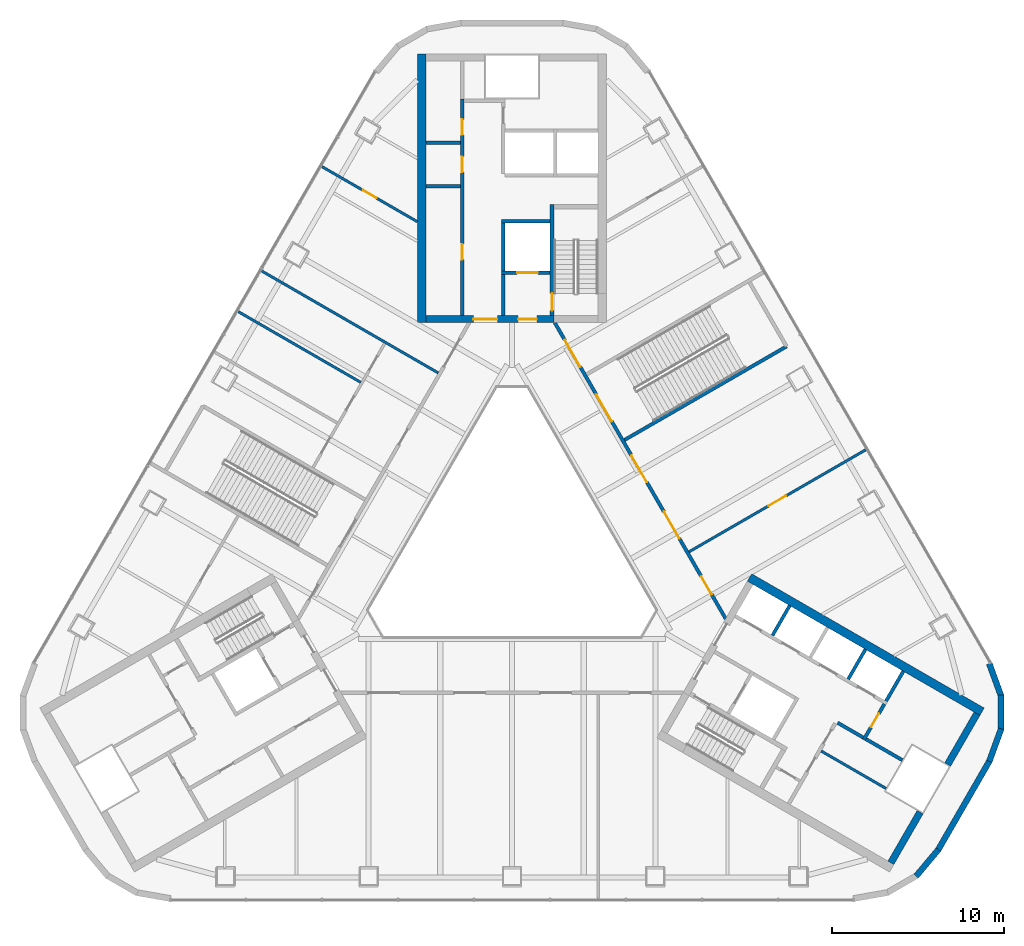
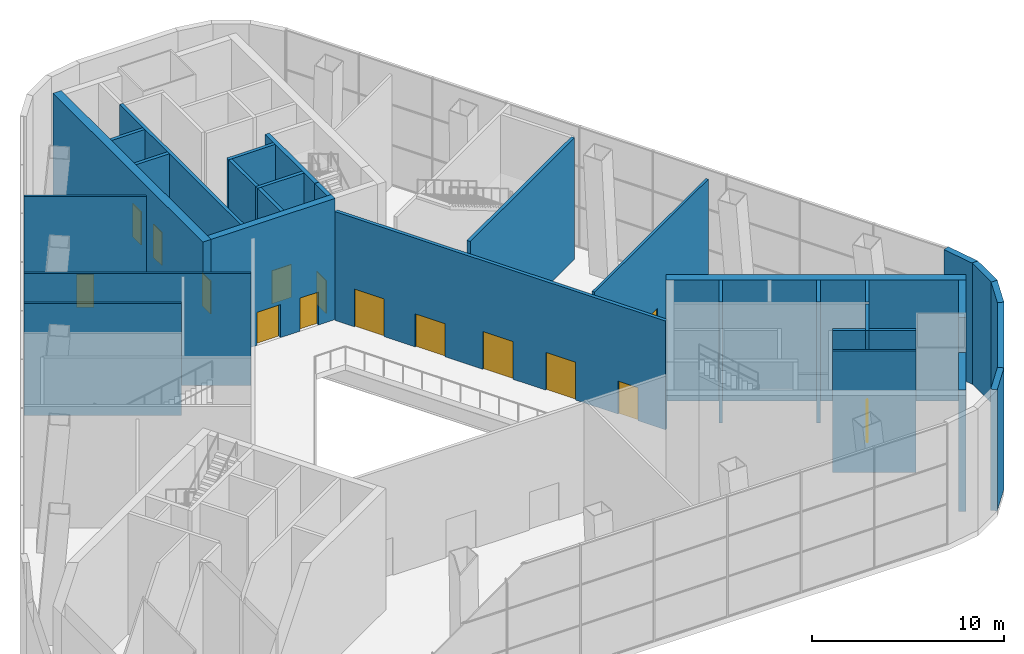
# One storey, part 11 of 16: 32 walls, 15 doors, 15 openings.
"""IFC4 building model written with IfcOpenShell, lengths in metres."""

import ifcopenshell
import ifcopenshell.guid

model = None  # the IFC model being written
_history = None  # IfcOwnerHistory: only IFC2X3 demands one
_inside = {}  # id of a spatial element -> (the spatial element, [elements in it])
_under = {}  # id of a project, library or spatial element -> (it, [spatial elements below it])
_declared = {}  # id of a project -> (the project, [libraries it declares])
_typed = {}  # id of a type object -> (the type object, [elements of that type])
_made_of = {}  # id of a material, layer set ... -> (it, [elements and type objects made of it])


def new_model(schema):
    """Start an empty IFC model of exactly this schema.

    Asked for "IFC4X3", IfcOpenShell would pick the latest addendum, in which some entities
    have other attributes; the version numbers below select the first issue.
    IFC2X3 requires an IfcOwnerHistory on every rooted entity: one is made here for all.
    """
    global model, _history
    if schema == "IFC4X3":
        model = ifcopenshell.file(schema_version=(4, 3, 0, 0))
    else:
        model = ifcopenshell.file(schema=schema)
    _inside.clear()
    _under.clear()
    _declared.clear()
    _typed.clear()
    _made_of.clear()
    _history = None
    if model.schema == "IFC2X3":
        org = make("IfcOrganization", Name="unknown")
        user = make(
            "IfcPersonAndOrganization",
            ThePerson=make("IfcPerson", FamilyName="unknown"),
            TheOrganization=org,
        )
        app = make(
            "IfcApplication",
            ApplicationDeveloper=org,
            Version="unknown",
            ApplicationFullName="unknown",
            ApplicationIdentifier="unknown",
        )
        _history = make(
            "IfcOwnerHistory",
            OwningUser=user,
            OwningApplication=app,
            ChangeAction="ADDED",
            CreationDate=0,
        )
    return model


def make(cls, **values):
    """One entity of the class cls with the attributes given. An attribute that is None is left unset."""
    return model.create_entity(
        cls, **{name: value for name, value in values.items() if value is not None}
    )


def rooted(cls, **values):
    """An entity with a GlobalId (a new one), such as an element, a storey or a relation."""
    return make(cls, GlobalId=ifcopenshell.guid.new(), OwnerHistory=_history, **values)


def si_unit(unit_type, name, prefix=None):
    """IfcSIUnit, for example si_unit("LENGTHUNIT", "METRE", prefix="MILLI")."""
    return make("IfcSIUnit", UnitType=unit_type, Prefix=prefix, Name=name)


def assignment(units):
    """IfcUnitAssignment: the units of a project."""
    return None if units is None else make("IfcUnitAssignment", Units=units)


def point(xyz):
    """IfcCartesianPoint."""
    return None if xyz is None else make("IfcCartesianPoint", Coordinates=xyz)


def direction(xyz):
    """IfcDirection."""
    return None if xyz is None else make("IfcDirection", DirectionRatios=xyz)


def frame(location, z_axis=None, x_axis=None):
    """IfcAxis2Placement3D, a coordinate frame: its origin and axes. An axis left out is left unset."""
    return make(
        "IfcAxis2Placement3D",
        Location=point(location),
        Axis=direction(z_axis),
        RefDirection=direction(x_axis),
    )


def frame_2d(location, x_axis=None):
    """IfcAxis2Placement2D, a coordinate frame in the plane: its origin and x axis."""
    return make(
        "IfcAxis2Placement2D", Location=point(location), RefDirection=direction(x_axis)
    )


def origin():
    """The frame at (0, 0, 0) with its axes left unset."""
    return frame((0.0, 0.0, 0.0))


def place(relative_to, where):
    """IfcLocalPlacement: puts the frame where relative to a parent placement (None: the world)."""
    return make(
        "IfcLocalPlacement", PlacementRelTo=relative_to, RelativePlacement=where
    )


def context(
    kind, dimensions, precision=None, world=None, true_north=None, identifier=None
):
    """IfcGeometricRepresentationContext, for example the 3D "Model" context."""
    return make(
        "IfcGeometricRepresentationContext",
        ContextIdentifier=identifier,
        ContextType=kind,
        CoordinateSpaceDimension=dimensions,
        Precision=precision,
        WorldCoordinateSystem=world,
        TrueNorth=true_north,
    )


def subcontext(parent, identifier, kind, view, scale=None):
    """IfcGeometricRepresentationSubContext, for example "Body" below "Model"."""
    return make(
        "IfcGeometricRepresentationSubContext",
        ContextIdentifier=identifier,
        ContextType=kind,
        ParentContext=parent,
        TargetScale=scale,
        TargetView=view,
    )


def project(units=None, contexts=None):
    """IfcProject with its units and contexts."""
    return rooted(
        "IfcProject",
        Name="project",
        RepresentationContexts=contexts,
        UnitsInContext=assignment(units),
    )


def spatial(cls, under=None, at=None, **own):
    """A site, building, storey or space (cls), placed at a placement, below another one or the project."""
    s = rooted(cls, ObjectPlacement=at, **own)
    if under is not None:
        _under.setdefault(under.id(), (under, []))[1].append(s)
    return s


def profile(cls, at=None, kind="AREA", **sizes):
    """A parametric profile (cls). Its sizes go by their IFC names, for example OverallWidth=200.0."""
    return make(cls, ProfileType=kind, Position=at, **sizes)


def rectangle(**sizes):
    """IfcRectangleProfileDef."""
    return profile("IfcRectangleProfileDef", **sizes)


def extrude(swept, where, along, depth):
    """IfcExtrudedAreaSolid: the profile swept, set in the frame where, extruded along a direction by depth."""
    return make(
        "IfcExtrudedAreaSolid",
        SweptArea=swept,
        Position=where,
        ExtrudedDirection=direction(along),
        Depth=depth,
    )


def shape(context_of_items, identifier, shape_type, items):
    """IfcShapeRepresentation: the items that make up one representation, for example the "Body"."""
    return make(
        "IfcShapeRepresentation",
        ContextOfItems=context_of_items,
        RepresentationIdentifier=identifier,
        RepresentationType=shape_type,
        Items=items,
    )


def material(Name=None, Category=None):
    """IfcMaterial."""
    return make("IfcMaterial", Name=Name, Category=Category)


def layer(
    of_material, thickness, ventilated=None, Name=None, Category=None, Priority=None
):
    """IfcMaterialLayer: one layer of a wall or slab, of a material (None: an air gap)."""
    return make(
        "IfcMaterialLayer",
        Material=of_material,
        LayerThickness=thickness,
        IsVentilated=ventilated,
        Name=Name,
        Category=Category,
        Priority=Priority,
    )


def layer_set(layers, Name=None):
    """IfcMaterialLayerSet."""
    return make("IfcMaterialLayerSet", MaterialLayers=layers, LayerSetName=Name)


def made_of(thing, what):
    """Note that an element or type object is made of a material, layer set ...; save() writes the relation."""
    if what is not None:
        _made_of.setdefault(what.id(), (what, []))[1].append(thing)
    return thing


def type_object(cls, material=None, **own):
    """A type object (cls), such as IfcWallType, which elements share."""
    return made_of(rooted(cls, **own), material)


def element(
    cls,
    number,
    at=None,
    inside=None,
    cuts=None,
    type_object=None,
    material=None,
    context=None,
    identifier="Body",
    shape_type=None,
    held_by="IfcProductDefinitionShape",
    body=None,
    shapes=None,
    **own,
):
    """One element of the class cls, such as IfcWall. Its Tag is "e" and its number.

    at: its placement. inside: the storey or other place that contains it. cuts: it is an
    opening in that element (IfcRelVoidsElement). A single representation is given by context,
    identifier, shape_type and body (its items); several are given by shapes. held_by: the class
    of the entity that holds the representations. save() writes the other relations.
    """
    e = rooted(cls, Tag="e%d" % number, ObjectPlacement=at, **own)
    if body is not None:
        shapes = [shape(context, identifier, shape_type, body)]
    if shapes is not None:
        e.Representation = make(held_by, Representations=shapes)
    if inside is not None:
        _inside.setdefault(inside.id(), (inside, []))[1].append(e)
    if cuts is not None:
        rooted(
            "IfcRelVoidsElement", RelatingBuildingElement=cuts, RelatedOpeningElement=e
        )
    if type_object is not None:
        _typed.setdefault(type_object.id(), (type_object, []))[1].append(e)
    return made_of(e, material)


def fill(opening, filler):
    """IfcRelFillsElement: the door or window that sits in an opening."""
    return rooted(
        "IfcRelFillsElement",
        RelatingOpeningElement=opening,
        RelatedBuildingElement=filler,
    )


def aggregate(whole, parts):
    """IfcRelAggregates: a whole, such as a stair, and the parts it consists of."""
    return rooted("IfcRelAggregates", RelatingObject=whole, RelatedObjects=parts)


def save(model, path):
    """Write the relations noted so far, then the file.

    IfcRelAggregates (storeys below a building ...), IfcRelContainedInSpatialStructure (elements
    in a storey), IfcRelDefinesByType, IfcRelAssociatesMaterial and IfcRelDeclares: one each for
    every whole, place, type object, material and project.
    """
    for whole, parts in _under.values():
        aggregate(whole, parts)
    for where, things in _inside.values():
        rooted(
            "IfcRelContainedInSpatialStructure",
            RelatedElements=things,
            RelatingStructure=where,
        )
    for kind, things in _typed.values():
        rooted("IfcRelDefinesByType", RelatedObjects=things, RelatingType=kind)
    for what, things in _made_of.values():
        rooted("IfcRelAssociatesMaterial", RelatedObjects=things, RelatingMaterial=what)
    for by, libraries in _declared.values():
        rooted("IfcRelDeclares", RelatingContext=by, RelatedDefinitions=libraries)
    model.write(path)


model = new_model("IFC4")

# Units and contexts
model_context = context("Model", 3, precision=1e-05, world=origin(), true_north=direction((0.0, 1.0)))
body_context = subcontext(model_context, "Body", "Model", "MODEL_VIEW")
ifc_project = project(units=[si_unit("LENGTHUNIT", "METRE"), si_unit("AREAUNIT", "SQUARE_METRE"), si_unit("VOLUMEUNIT", "CUBIC_METRE"), si_unit("PLANEANGLEUNIT", "RADIAN"), si_unit("MASSUNIT", "GRAM", prefix="KILO")], contexts=[model_context])

# Site, building, storey
site_placement = place(None, origin())
site = spatial("IfcSite", under=ifc_project, at=site_placement, CompositionType="ELEMENT")
building_placement = place(site_placement, origin())
building = spatial("IfcBuilding", under=site, at=building_placement, Name="Apuvela Tower Hotel", CompositionType="ELEMENT")
storey_placement = place(building_placement, frame((0.0, 0.0, 15.5)))
storey = spatial("IfcBuildingStorey", under=building, at=storey_placement, Name="L02", CompositionType="ELEMENT", Elevation=15.5)

# Wall, openings, doors
ifc_material_1 = material(Name="Concrete C50/60", Category="concrete")
ifc_layer_1 = layer(ifc_material_1, 0.39990234375)
ifc_layer_set_1 = layer_set([ifc_layer_1], Name="COR-WALL-CORE-400")
wall_type_1 = type_object("IfcWallType", Name="COR-WALL-CORE-400", PredefinedType="SHEAR", material=ifc_layer_set_1)
wall_1_placement = place(storey_placement, frame((2.449951171875, 13.10009765625, 0.0), z_axis=(0.0, 0.0, 1.0), x_axis=(-1.0, 0.0, 0.0)))
wall_1 = element("IfcWall", 1, at=wall_1_placement, inside=storey, type_object=wall_type_1, Name="Core wall N", PredefinedType="SHEAR", context=body_context, shape_type="SweptSolid", body=[
    extrude(rectangle(XDim=7.449951171875, YDim=0.39990234375, at=frame_2d((3.72509765625, 0.0))), origin(), (0.0, 0.0, 1.0), 7.699951171875),
])
opening_1_placement = place(wall_1_placement, frame((1.0, 0.0, 0.0)))
opening_1 = element("IfcOpeningElement", 2, at=opening_1_placement, cuts=wall_1, Name="Opening N-FD", PredefinedType="OPENING", context=body_context, shape_type="SweptSolid", body=[
    extrude(rectangle(XDim=1.10009765625, YDim=2.10009765625, at=frame_2d((0.550048828125, 1.050048828125))), frame((0.0, 0.2099609375, 0.0), z_axis=(0.0, -1.0, 0.0), x_axis=(1.0, 0.0, 0.0)), (0.0, 0.0, 1.0), 0.419921875),
])
opening_2_placement = place(wall_1_placement, frame((3.300048828125, 0.0, 0.0)))
opening_2 = element("IfcOpeningElement", 3, at=opening_2_placement, cuts=wall_1, Name="Opening N-GD", PredefinedType="OPENING", context=body_context, shape_type="SweptSolid", body=[
    extrude(rectangle(XDim=1.39990234375, YDim=2.10009765625, at=frame_2d((0.699951171875, 1.050048828125))), frame((0.0, 0.2099609375, 0.0), z_axis=(0.0, -1.0, 0.0), x_axis=(1.0, 0.0, 0.0)), (0.0, 0.0, 1.0), 0.419921875),
])
ifc_material_2 = material(Name="Steel fire door, powder coated", Category="steel")
door_type_1 = type_object("IfcDoorType", Name="COR-FD-1100", OperationType="NOTDEFINED", PredefinedType="DOOR", material=ifc_material_2)
door_1_placement = place(opening_1_placement, frame((1.10009765625, 0.0, 0.0), z_axis=(0.0, 0.0, 1.0), x_axis=(-1.0, 0.0, 0.0)))
door_1 = element("IfcDoor", 4, at=door_1_placement, inside=storey, type_object=door_type_1, Name="Firefighting lobby door N-FD", OperationType="SINGLE_SWING_LEFT", OverallHeight=2.10009765625, OverallWidth=1.10009765625, PredefinedType="DOOR", context=body_context, shape_type="SweptSolid", body=[
    extrude(rectangle(XDim=1.10009765625, YDim=2.10009765625, at=frame_2d((0.550048828125, 1.050048828125))), frame((0.0, 0.02490234375, 0.0), z_axis=(0.0, -1.0, 0.0), x_axis=(1.0, 0.0, 0.0)), (0.0, 0.0, 1.0), 0.050048828125),
])
fill(opening_1, door_1)
ifc_material_3 = material(Name="Glazed steel fire door", Category="steel")
door_type_2 = type_object("IfcDoorType", Name="COR-GD-1400", OperationType="DOUBLE_DOOR_SINGLE_SWING", PredefinedType="DOOR", material=ifc_material_3)
door_2_placement = place(opening_2_placement, frame((1.39990234375, 0.0, 0.0), z_axis=(0.0, 0.0, 1.0), x_axis=(-1.0, 0.0, 0.0)))
door_2 = element("IfcDoor", 5, at=door_2_placement, inside=storey, type_object=door_type_2, Name="Lift lobby door N-GD", OperationType="DOUBLE_DOOR_SINGLE_SWING", OverallHeight=2.10009765625, OverallWidth=1.39990234375, PredefinedType="DOOR", context=body_context, shape_type="SweptSolid", body=[
    extrude(rectangle(XDim=1.39990234375, YDim=2.10009765625, at=frame_2d((0.699951171875, 1.050048828125))), frame((0.0, 0.02490234375, 0.0), z_axis=(0.0, -1.0, 0.0), x_axis=(1.0, 0.0, 0.0)), (0.0, 0.0, 1.0), 0.050048828125),
])
fill(opening_2, door_2)

# Walls
wall_2_placement = place(storey_placement, frame((25.30859375, -12.764404296875, 0.0), z_axis=(0.0, 0.0, 1.0), x_axis=(0.499977295307, 0.866038511948, 0.0)))
element("IfcWall", 6, at=wall_2_placement, inside=storey, type_object=wall_type_1, Name="Core wall SE", PredefinedType="SHEAR", context=body_context, shape_type="SweptSolid", body=[
    extrude(rectangle(XDim=3.400146484375, YDim=0.39990234375, at=frame_2d((1.7001953125, 0.0))), origin(), (0.0, 0.0, 1.0), 7.699951171875),
])
wall_3_placement = place(storey_placement, frame((22.008544921875, -18.47998046875, 0.0), z_axis=(0.0, 0.0, 1.0), x_axis=(0.500008388397, 0.866020560687, 0.0)))
element("IfcWall", 7, at=wall_3_placement, inside=storey, type_object=wall_type_1, Name="Core wall SE", PredefinedType="SHEAR", context=body_context, shape_type="SweptSolid", body=[
    extrude(rectangle(XDim=3.39990234375, YDim=0.39990234375, at=frame_2d((1.699951171875, 0.0))), origin(), (0.0, 0.0, 1.0), 7.699951171875),
])
ifc_layer_2 = layer(ifc_material_1, 0.5)
ifc_layer_set_2 = layer_set([ifc_layer_2], Name="COR-WALL-CORE-500")
wall_type_2 = type_object("IfcWallType", Name="COR-WALL-CORE-500", PredefinedType="SHEAR", material=ifc_layer_set_2)
for number, where, z_axis, x_axis, name in (
    (8, (-5.25, 12.89990234375, 0.0), (0.0, 0.0, 1.0), (0.0, 1.0, 0.0), "Core wall N"),
    (9, (13.796630859375, -1.9033203125, 0.0), (0.0, 0.0, 1.0), (0.866024264262, -0.500001973705, 0.0), "Core wall SE"),
):
    element("IfcWall", number, at=place(storey_placement, frame(where, z_axis=z_axis, x_axis=x_axis)), inside=storey, type_object=wall_type_2, Name=name, PredefinedType="SHEAR", context=body_context, shape_type="SweptSolid", body=[
        extrude(rectangle(XDim=15.60009765625, YDim=0.5, at=frame_2d((7.800048828125, 0.0))), origin(), (0.0, 0.0, 1.0), 7.699951171875),
    ])
ifc_material_4 = material(Name="Blockwork 150 mm plastered", Category="masonry")
ifc_layer_3 = layer(ifc_material_4, 0.14990234375)
ifc_layer_set_3 = layer_set([ifc_layer_3], Name="COR-WALL-PART-150")
wall_type_3 = type_object("IfcWallType", Name="COR-WALL-PART-150", PredefinedType="PARTITIONING", material=ifc_layer_set_3)
wall_4_placement = place(storey_placement, frame((17.962890625, -11.9873046875, 0.0), z_axis=(0.0, 0.0, 1.0), x_axis=(0.866013608182, -0.500020430026, 0.0)))
element("IfcWall", 10, at=wall_4_placement, inside=storey, type_object=wall_type_3, Name="Partition SE", PredefinedType="PARTITIONING", context=body_context, shape_type="SweptSolid", body=[
    extrude(rectangle(XDim=4.349853515625, YDim=0.14990234375, at=frame_2d((2.1748046875, 0.0))), origin(), (0.0, 0.0, 1.0), 7.699951171875),
])
ifc_layer_4 = layer(ifc_material_1, 0.199951171875)
ifc_layer_set_4 = layer_set([ifc_layer_4], Name="COR-WALL-SHAFT-200")
wall_type_4 = type_object("IfcWallType", Name="COR-WALL-SHAFT-200", PredefinedType="SHEAR", material=ifc_layer_set_4)
wall_5_placement = place(storey_placement, frame((2.199951171875, 18.800048828125, 0.0), z_axis=(0.0, 0.0, 1.0), x_axis=(-1.0, 0.0, 0.0)))
element("IfcWall", 11, at=wall_5_placement, inside=storey, type_object=wall_type_4, Name="Shaft wall N", PredefinedType="SHEAR", context=body_context, shape_type="SweptSolid", body=[
    extrude(rectangle(XDim=2.800048828125, YDim=0.199951171875, at=frame_2d((1.39990234375, 0.0))), origin(), (0.0, 0.0, 1.0), 7.699951171875),
])

# Wall, opening, door
wall_6_placement = place(storey_placement, frame((2.199951171875, 15.800048828125, 0.0), z_axis=(0.0, 0.0, 1.0), x_axis=(-1.0, 0.0, 0.0)))
wall_6 = element("IfcWall", 12, at=wall_6_placement, inside=storey, type_object=wall_type_4, Name="Shaft wall N", PredefinedType="SHEAR", context=body_context, shape_type="SweptSolid", body=[
    extrude(rectangle(XDim=2.800048828125, YDim=0.199951171875, at=frame_2d((1.39990234375, 0.0))), origin(), (0.0, 0.0, 1.0), 7.699951171875),
])
opening_3_placement = place(wall_6_placement, frame((0.699951171875, 0.0, 0.0)))
opening_3 = element("IfcOpeningElement", 13, at=opening_3_placement, cuts=wall_6, Name="Opening N-LD-FS1", PredefinedType="OPENING", context=body_context, shape_type="SweptSolid", body=[
    extrude(rectangle(XDim=1.199951171875, YDim=2.10009765625, at=frame_2d((0.60009765625, 1.050048828125))), frame((0.0, 0.10986328125, 0.0), z_axis=(0.0, -1.0, 0.0), x_axis=(1.0, 0.0, 0.0)), (0.0, 0.0, 1.0), 0.219970703125),
])
ifc_material_5 = material(Name="Stainless steel lift landing door", Category="steel")
door_type_3 = type_object("IfcDoorType", Name="COR-LD-1200", OperationType="DOUBLE_DOOR_SLIDING", PredefinedType="DOOR", material=ifc_material_5)
door_3_placement = place(opening_3_placement, origin())
door_3 = element("IfcDoor", 14, at=door_3_placement, inside=storey, type_object=door_type_3, Name="Lift landing door N-LD-FS1", OperationType="DOUBLE_DOOR_SLIDING", OverallHeight=2.10009765625, OverallWidth=1.199951171875, PredefinedType="DOOR", context=body_context, shape_type="SweptSolid", body=[
    extrude(rectangle(XDim=1.199951171875, YDim=2.10009765625, at=frame_2d((0.60009765625, 1.050048828125))), frame((0.0, 0.02490234375, 0.0), z_axis=(0.0, -1.0, 0.0), x_axis=(1.0, 0.0, 0.0)), (0.0, 0.0, 1.0), 0.050048828125),
])
fill(opening_3, door_3)

# Walls
wall_7_placement = place(storey_placement, frame((-0.5, 15.89990234375, 0.0), z_axis=(0.0, 0.0, 1.0), x_axis=(0.0, 1.0, 0.0)))
element("IfcWall", 15, at=wall_7_placement, inside=storey, type_object=wall_type_4, Name="Shaft wall N", PredefinedType="SHEAR", context=body_context, shape_type="SweptSolid", body=[
    extrude(rectangle(XDim=2.800048828125, YDim=0.199951171875, at=frame_2d((1.39990234375, 0.0))), origin(), (0.0, 0.0, 1.0), 7.699951171875),
])
wall_8_placement = place(storey_placement, frame((-0.5, 13.300048828125, 0.0), z_axis=(0.0, 0.0, 1.0), x_axis=(0.0, 1.0, 0.0)))
element("IfcWall", 16, at=wall_8_placement, inside=storey, type_object=wall_type_4, Name="Shaft wall N", PredefinedType="SHEAR", context=body_context, shape_type="SweptSolid", body=[
    extrude(rectangle(XDim=2.39990234375, YDim=0.199951171875, at=frame_2d((1.199951171875, 0.0))), origin(), (0.0, 0.0, 1.0), 7.699951171875),
])

# Wall, openings, doors
wall_9_placement = place(storey_placement, frame((-2.89990234375, 13.300048828125, 0.0), z_axis=(0.0, 0.0, 1.0), x_axis=(0.0, 1.0, 0.0)))
wall_9 = element("IfcWall", 17, at=wall_9_placement, inside=storey, type_object=wall_type_4, Name="Shaft wall N", PredefinedType="SHEAR", context=body_context, shape_type="SweptSolid", body=[
    extrude(rectangle(XDim=12.599853515625, YDim=0.199951171875, at=frame_2d((6.2998046875, 0.0))), origin(), (0.0, 0.0, 1.0), 7.699951171875),
])
opening_4_placement = place(wall_9_placement, frame((3.260009765625, 0.0, 0.0)))
opening_4 = element("IfcOpeningElement", 18, at=opening_4_placement, cuts=wall_9, Name="Opening N-RE1", PredefinedType="OPENING", context=body_context, shape_type="SweptSolid", body=[
    extrude(rectangle(XDim=0.89990234375, YDim=2.10009765625, at=frame_2d((0.449951171875, 1.050048828125))), frame((0.0, 0.10986328125, 0.0), z_axis=(0.0, -1.0, 0.0), x_axis=(1.0, 0.0, 0.0)), (0.0, 0.0, 1.0), 0.219970703125),
])
opening_5_placement = place(wall_9_placement, frame((8.340087890625, 0.0, 0.0)))
opening_5 = element("IfcOpeningElement", 19, at=opening_5_placement, cuts=wall_9, Name="Opening N-RE4", PredefinedType="OPENING", context=body_context, shape_type="SweptSolid", body=[
    extrude(rectangle(XDim=0.89990234375, YDim=2.10009765625, at=frame_2d((0.449951171875, 1.050048828125))), frame((0.0, 0.10986328125, 0.0), z_axis=(0.0, -1.0, 0.0), x_axis=(1.0, 0.0, 0.0)), (0.0, 0.0, 1.0), 0.219970703125),
])
opening_6_placement = place(wall_9_placement, frame((10.510009765625, 0.0, 0.0)))
opening_6 = element("IfcOpeningElement", 20, at=opening_6_placement, cuts=wall_9, Name="Opening N-REP", PredefinedType="OPENING", context=body_context, shape_type="SweptSolid", body=[
    extrude(rectangle(XDim=0.89990234375, YDim=2.10009765625, at=frame_2d((0.449951171875, 1.050048828125))), frame((0.0, 0.10986328125, 0.0), z_axis=(0.0, -1.0, 0.0), x_axis=(1.0, 0.0, 0.0)), (0.0, 0.0, 1.0), 0.219970703125),
])
door_type_4 = type_object("IfcDoorType", Name="COR-DR-900", OperationType="NOTDEFINED", PredefinedType="DOOR", material=ifc_material_2)
door_4_placement = place(opening_4_placement, origin())
door_4 = element("IfcDoor", 21, at=door_4_placement, inside=storey, type_object=door_type_4, Name="Store door N-RE1", OperationType="SINGLE_SWING_LEFT", OverallHeight=2.10009765625, OverallWidth=0.89990234375, PredefinedType="DOOR", context=body_context, shape_type="SweptSolid", body=[
    extrude(rectangle(XDim=0.89990234375, YDim=2.10009765625, at=frame_2d((0.449951171875, 1.050048828125))), frame((0.0, 0.02490234375, 0.0), z_axis=(0.0, -1.0, 0.0), x_axis=(1.0, 0.0, 0.0)), (0.0, 0.0, 1.0), 0.050048828125),
])
fill(opening_4, door_4)
door_5_placement = place(opening_5_placement, origin())
door_5 = element("IfcDoor", 22, at=door_5_placement, inside=storey, type_object=door_type_4, Name="Store door N-RE4", OperationType="SINGLE_SWING_LEFT", OverallHeight=2.10009765625, OverallWidth=0.89990234375, PredefinedType="DOOR", context=body_context, shape_type="SweptSolid", body=[
    extrude(rectangle(XDim=0.89990234375, YDim=2.10009765625, at=frame_2d((0.449951171875, 1.050048828125))), frame((0.0, 0.02490234375, 0.0), z_axis=(0.0, -1.0, 0.0), x_axis=(1.0, 0.0, 0.0)), (0.0, 0.0, 1.0), 0.050048828125),
])
fill(opening_5, door_5)
door_6_placement = place(opening_6_placement, origin())
door_6 = element("IfcDoor", 23, at=door_6_placement, inside=storey, type_object=door_type_4, Name="Store door N-REP", OperationType="SINGLE_SWING_RIGHT", OverallHeight=2.10009765625, OverallWidth=0.89990234375, PredefinedType="DOOR", context=body_context, shape_type="SweptSolid", body=[
    extrude(rectangle(XDim=0.89990234375, YDim=2.10009765625, at=frame_2d((0.449951171875, 1.050048828125))), frame((0.0, 0.02490234375, 0.0), z_axis=(0.0, -1.0, 0.0), x_axis=(1.0, 0.0, 0.0)), (0.0, 0.0, 1.0), 0.050048828125),
])
fill(opening_6, door_6)

# Walls
for number, where, z_axis, x_axis, name in (
    (24, (-3.0, 20.820068359375, 0.0), (0.0, 0.0, 1.0), (-1.0, 0.0, 0.0), "Shaft wall N"),
    (25, (-3.0, 23.360107421875, 0.0), (0.0, 0.0, 1.0), (-1.0, 0.0, 0.0), "Shaft wall N"),
):
    element("IfcWall", number, at=place(storey_placement, frame(where, z_axis=z_axis, x_axis=x_axis)), inside=storey, type_object=wall_type_4, Name=name, PredefinedType="SHEAR", context=body_context, shape_type="SweptSolid", body=[
        extrude(rectangle(XDim=2.0, YDim=0.199951171875, at=frame_2d((1.0, 0.0))), origin(), (0.0, 0.0, 1.0), 7.699951171875),
    ])

# Wall, opening, door
wall_10_placement = place(storey_placement, frame((20.430419921875, -11.33349609375, 0.0), z_axis=(0.0, 0.0, 1.0), x_axis=(0.500001309137, 0.866024647952, 0.0)))
wall_10 = element("IfcWall", 26, at=wall_10_placement, inside=storey, type_object=wall_type_4, Name="Shaft wall SE", PredefinedType="SHEAR", context=body_context, shape_type="SweptSolid", body=[
    extrude(rectangle(XDim=2.39990234375, YDim=0.199951171875, at=frame_2d((1.199951171875, 0.0))), origin(), (0.0, 0.0, 1.0), 7.699951171875),
])
opening_7_placement = place(wall_10_placement, frame((0.85009765625, 0.0, 0.0)))
opening_7 = element("IfcOpeningElement", 27, at=opening_7_placement, cuts=wall_10, Name="Opening E-REP", PredefinedType="OPENING", context=body_context, shape_type="SweptSolid", body=[
    extrude(rectangle(XDim=0.89990234375, YDim=2.10009765625, at=frame_2d((0.449951171875, 1.050048828125))), frame((0.0, 0.10986328125, 0.0), z_axis=(0.0, -1.0, 0.0), x_axis=(1.0, 0.0, 0.0)), (0.0, 0.0, 1.0), 0.219970703125),
])
door_7_placement = place(opening_7_placement, frame((0.89990234375, 0.0, 0.0), z_axis=(0.0, 0.0, 1.0), x_axis=(-1.0, 0.0, 0.0)))
door_7 = element("IfcDoor", 28, at=door_7_placement, inside=storey, type_object=door_type_4, Name="Store door E-REP", OperationType="SINGLE_SWING_RIGHT", OverallHeight=2.10009765625, OverallWidth=0.89990234375, PredefinedType="DOOR", context=body_context, shape_type="SweptSolid", body=[
    extrude(rectangle(XDim=0.89990234375, YDim=2.10009765625, at=frame_2d((0.449951171875, 1.050048828125))), frame((0.0, 0.02490234375, 0.0), z_axis=(0.0, -1.0, 0.0), x_axis=(1.0, 0.0, 0.0)), (0.0, 0.0, 1.0), 0.050048828125),
])
fill(opening_7, door_7)

# Walls
wall_11_placement = place(storey_placement, frame((18.912841796875, -10.342041015625, 0.0), z_axis=(0.0, 0.0, 1.0), x_axis=(0.866038183914, -0.499977863513, 0.0)))
element("IfcWall", 29, at=wall_11_placement, inside=storey, type_object=wall_type_4, Name="Shaft wall SE", PredefinedType="SHEAR", context=body_context, shape_type="SweptSolid", body=[
    extrude(rectangle(XDim=1.7099609375, YDim=0.199951171875, at=frame_2d((0.85498046875, 0.0))), origin(), (0.0, 0.0, 1.0), 7.699951171875),
])
for number, where, z_axis, x_axis, name in (
    (30, (15.131103515625, -5.27197265625, 0.0), (0.0, 0.0, 1.0), (0.499972520799, 0.866041268327, 0.0), "Shaft wall SE"),
    (31, (19.530517578125, -7.81201171875, 0.0), (0.0, 0.0, 1.0), (0.499972520799, 0.866041268327, 0.0), "Shaft wall SE"),
    (32, (21.73046875, -9.081787109375, 0.0), (0.0, 0.0, 1.0), (0.50002537861, 0.866010750942, 0.0), "Shaft wall SE"),
):
    element("IfcWall", number, at=place(storey_placement, frame(where, z_axis=z_axis, x_axis=x_axis)), inside=storey, type_object=wall_type_4, Name=name, PredefinedType="SHEAR", context=body_context, shape_type="SweptSolid", body=[
        extrude(rectangle(XDim=2.0, YDim=0.199951171875, at=frame_2d((1.0, 0.0))), origin(), (0.0, 0.0, 1.0), 7.699951171875),
    ])
wall_12_placement = place(storey_placement, frame((20.56689453125, -11.297119140625, 0.0), z_axis=(0.0, 0.0, 1.0), x_axis=(0.866048967903, -0.499959183527, 0.0)))
element("IfcWall", 33, at=wall_12_placement, inside=storey, type_object=wall_type_4, Name="Shaft wall SE", PredefinedType="SHEAR", context=body_context, shape_type="SweptSolid", body=[
    extrude(rectangle(XDim=2.440185546875, YDim=0.199951171875, at=frame_2d((1.22021484375, 0.0))), origin(), (0.0, 0.0, 1.0), 7.699951171875),
])

# Wall, opening, door
ifc_layer_5 = layer(ifc_material_1, 0.25)
ifc_layer_set_5 = layer_set([ifc_layer_5], Name="COR-WALL-STAIR-250")
wall_type_5 = type_object("IfcWallType", Name="COR-WALL-STAIR-250", PredefinedType="SHEAR", material=ifc_layer_set_5)
wall_13_placement = place(storey_placement, frame((2.324951171875, 13.300048828125, 0.0), z_axis=(0.0, 0.0, 1.0), x_axis=(0.0, 1.0, 0.0)))
wall_13 = element("IfcWall", 34, at=wall_13_placement, inside=storey, type_object=wall_type_5, Name="Stair wall N", PredefinedType="SHEAR", context=body_context, shape_type="SweptSolid", body=[
    extrude(rectangle(XDim=1.305908203125, YDim=0.25, at=frame_2d((0.65283203125, 0.0))), origin(), (0.0, 0.0, 1.0), 7.699951171875),
])
opening_8_placement = place(wall_13_placement, frame((0.300048828125, 0.0, 0.0)))
opening_8 = element("IfcOpeningElement", 35, at=opening_8_placement, cuts=wall_13, Name="Opening N-SD", PredefinedType="OPENING", context=body_context, shape_type="SweptSolid", body=[
    extrude(rectangle(XDim=1.0, YDim=2.10009765625, at=frame_2d((0.5, 1.050048828125))), frame((0.0, 0.135009765625, 0.0), z_axis=(0.0, -1.0, 0.0), x_axis=(1.0, 0.0, 0.0)), (0.0, 0.0, 1.0), 0.27001953125),
])
door_type_5 = type_object("IfcDoorType", Name="COR-SD-1000", OperationType="NOTDEFINED", PredefinedType="DOOR", material=ifc_material_2)
door_8_placement = place(opening_8_placement, frame((1.0, 0.0, 0.0), z_axis=(0.0, 0.0, 1.0), x_axis=(-1.0, 0.0, 0.0)))
door_8 = element("IfcDoor", 36, at=door_8_placement, inside=storey, type_object=door_type_5, Name="Stair door N-SD", OperationType="SINGLE_SWING_LEFT", OverallHeight=2.10009765625, OverallWidth=1.0, PredefinedType="DOOR", context=body_context, shape_type="SweptSolid", body=[
    extrude(rectangle(XDim=1.0, YDim=2.10009765625, at=frame_2d((0.5, 1.050048828125))), frame((0.0, 0.02490234375, 0.0), z_axis=(0.0, -1.0, 0.0), x_axis=(1.0, 0.0, 0.0)), (0.0, 0.0, 1.0), 0.050048828125),
])
fill(opening_8, door_8)

# Walls
wall_14_placement = place(storey_placement, frame((2.324951171875, 14.60595703125, 0.0), z_axis=(0.0, 0.0, 1.0), x_axis=(0.0, 1.0, 0.0)))
element("IfcWall", 37, at=wall_14_placement, inside=storey, type_object=wall_type_5, Name="Stair wall N", PredefinedType="SHEAR", context=body_context, shape_type="SweptSolid", body=[
    extrude(rectangle(XDim=5.14404296875, YDim=0.25, at=frame_2d((2.572021484375, 0.0))), origin(), (0.0, 0.0, 1.0), 7.699951171875),
])
ifc_material_6 = material(Name="Concrete C40/50, dark pigmented precast panel", Category="concrete")
ifc_layer_6 = layer(ifc_material_6, 0.35009765625)
ifc_layer_set_6 = layer_set([ifc_layer_6], Name="ENV-WALL-350")
wall_type_6 = type_object("IfcWallType", Name="ENV-WALL-350", PredefinedType="SOLIDWALL", material=ifc_layer_set_6)
wall_15_placement = place(storey_placement, frame((23.47119140625, -19.260009765625, 0.0), z_axis=(0.0, 0.0, 1.0), x_axis=(0.642752052196, 0.76607427799, 0.0)))
element("IfcWall", 38, at=wall_15_placement, inside=storey, type_object=wall_type_6, Name="External wall L02-18", PredefinedType="SOLIDWALL", context=body_context, shape_type="SweptSolid", body=[
    extrude(rectangle(XDim=2.017333984375, YDim=0.35009765625, at=frame_2d((1.0087890625, 0.0))), origin(), (0.0, 0.0, 1.0), 7.699951171875),
])
wall_16_placement = place(storey_placement, frame((24.75048828125, -17.739501953125, 0.0), z_axis=(0.0, 0.0, 1.0), x_axis=(0.499984178349, 0.866034538226, 0.0)))
element("IfcWall", 39, at=wall_16_placement, inside=storey, type_object=wall_type_6, Name="External wall L02-19", PredefinedType="SOLIDWALL", context=body_context, shape_type="SweptSolid", body=[
    extrude(rectangle(XDim=5.975341796875, YDim=0.35009765625, at=frame_2d((2.98779296875, 0.0))), origin(), (0.0, 0.0, 1.0), 7.699951171875),
])
for number, where, z_axis, x_axis, name in (
    (40, (27.72509765625, -12.59228515625, 0.0), (0.0, 0.0, 1.0), (0.342141447536, 0.939648460797, 0.0), "External wall L02-20"),
    (41, (28.404541015625, -10.756591796875, 0.0), (0.0, 0.0, 1.0), (0.0, 1.0, 0.0), "External wall L02-21"),
):
    element("IfcWall", number, at=place(storey_placement, frame(where, z_axis=z_axis, x_axis=x_axis)), inside=storey, type_object=wall_type_6, Name=name, PredefinedType="SOLIDWALL", context=body_context, shape_type="SweptSolid", body=[
        extrude(rectangle(XDim=2.017333984375, YDim=0.35009765625, at=frame_2d((1.0087890625, 0.0))), origin(), (0.0, 0.0, 1.0), 7.699951171875),
    ])
wall_17_placement = place(storey_placement, frame((28.415283203125, -8.799072265625, 0.0), z_axis=(0.0, 0.0, 1.0), x_axis=(-0.342102542586, 0.939662625816, 0.0)))
element("IfcWall", 42, at=wall_17_placement, inside=storey, type_object=wall_type_6, Name="External wall L02-22", PredefinedType="SOLIDWALL", context=body_context, shape_type="SweptSolid", body=[
    extrude(rectangle(XDim=2.017578125, YDim=0.35009765625, at=frame_2d((1.0087890625, 0.0))), origin(), (0.0, 0.0, 1.0), 7.699951171875),
])

# Wall, openings, doors
ifc_material_7 = material(Name="Fire-rated gypsum board partition on steel stud", Category="steel")
ifc_layer_7 = layer(ifc_material_7, 0.199951171875)
ifc_layer_set_7 = layer_set([ifc_layer_7], Name="SPC-WALL-CORRIDOR")
wall_type_7 = type_object("IfcWallType", Name="SPC-WALL-CORRIDOR", PredefinedType="PARTITIONING", material=ifc_layer_set_7)
wall_18_placement = place(storey_placement, frame((12.4130859375, -4.300048828125, 0.0), z_axis=(0.0, 0.0, 1.0), x_axis=(-0.50000478328, 0.866022642139, 0.0)))
wall_18 = element("IfcWall", 43, at=wall_18_placement, inside=storey, type_object=wall_type_7, Name="Wall L02-NE-CW", PredefinedType="PARTITIONING", context=body_context, shape_type="SweptSolid", body=[
    extrude(rectangle(XDim=19.861083984375, YDim=0.199951171875, at=frame_2d((9.9306640625, 0.0))), origin(), (0.0, 0.0, 1.0), 6.909912109375),
])
opening_9_placement = place(wall_18_placement, frame((1.633544921875, 0.0, 0.0)))
opening_9 = element("IfcOpeningElement", 44, at=opening_9_placement, cuts=wall_18, Name="Opening L02-S01", PredefinedType="OPENING", context=body_context, shape_type="SweptSolid", body=[
    extrude(rectangle(XDim=1.199951171875, YDim=2.10009765625, at=frame_2d((0.60009765625, 1.050048828125))), frame((0.0, 0.10986328125, 0.0), z_axis=(0.0, -1.0, 0.0), x_axis=(1.0, 0.0, 0.0)), (0.0, 0.0, 1.0), 0.219970703125),
])
opening_10_placement = place(wall_18_placement, frame((5.381103515625, 0.0, 0.0)))
opening_10 = element("IfcOpeningElement", 45, at=opening_10_placement, cuts=wall_18, Name="Opening L02-S03", PredefinedType="OPENING", context=body_context, shape_type="SweptSolid", body=[
    extrude(rectangle(XDim=1.800048828125, YDim=2.39990234375, at=frame_2d((0.89990234375, 1.199951171875))), frame((0.0, 0.10986328125, 0.0), z_axis=(0.0, -1.0, 0.0), x_axis=(1.0, 0.0, 0.0)), (0.0, 0.0, 1.0), 0.219970703125),
])
opening_11_placement = place(wall_18_placement, frame((9.155029296875, 0.0, 0.0)))
opening_11 = element("IfcOpeningElement", 46, at=opening_11_placement, cuts=wall_18, Name="Opening L02-S04", PredefinedType="OPENING", context=body_context, shape_type="SweptSolid", body=[
    extrude(rectangle(XDim=1.800048828125, YDim=2.39990234375, at=frame_2d((0.89990234375, 1.199951171875))), frame((0.0, 0.10986328125, 0.0), z_axis=(0.0, -1.0, 0.0), x_axis=(1.0, 0.0, 0.0)), (0.0, 0.0, 1.0), 0.219970703125),
])
opening_12_placement = place(wall_18_placement, frame((16.889892578125, 0.0, 0.0)))
opening_12 = element("IfcOpeningElement", 47, at=opening_12_placement, cuts=wall_18, Name="Opening L02-S05", PredefinedType="OPENING", context=body_context, shape_type="SweptSolid", body=[
    extrude(rectangle(XDim=1.800048828125, YDim=2.39990234375, at=frame_2d((0.89990234375, 1.199951171875))), frame((0.0, 0.10986328125, 0.0), z_axis=(0.0, -1.0, 0.0), x_axis=(1.0, 0.0, 0.0)), (0.0, 0.0, 1.0), 0.219970703125),
])
opening_13_placement = place(wall_18_placement, frame((13.23046875, 0.0, 0.0)))
opening_13 = element("IfcOpeningElement", 48, at=opening_13_placement, cuts=wall_18, Name="Opening L02-S07", PredefinedType="OPENING", context=body_context, shape_type="SweptSolid", body=[
    extrude(rectangle(XDim=1.800048828125, YDim=2.10009765625, at=frame_2d((0.89990234375, 1.050048828125))), frame((0.0, 0.10986328125, 0.0), z_axis=(0.0, -1.0, 0.0), x_axis=(1.0, 0.0, 0.0)), (0.0, 0.0, 1.0), 0.219970703125),
])
ifc_material_8 = material(Name="Fire-rated hardwood veneer door leaf", Category="wood")
door_type_6 = type_object("IfcDoorType", Name="SPC-DOOR-1200-FD", OperationType="NOTDEFINED", PredefinedType="DOOR", material=ifc_material_8)
door_9_placement = place(opening_9_placement, frame((1.199951171875, 0.0, 0.0), z_axis=(0.0, 0.0, 1.0), x_axis=(-1.0, 0.0, 0.0)))
door_9 = element("IfcDoor", 49, at=door_9_placement, inside=storey, type_object=door_type_6, Name="L02-S01", OperationType="SINGLE_SWING_RIGHT", OverallHeight=2.10009765625, OverallWidth=1.199951171875, PredefinedType="DOOR", context=body_context, shape_type="SweptSolid", body=[
    extrude(rectangle(XDim=1.199951171875, YDim=2.10009765625, at=frame_2d((0.60009765625, 1.050048828125))), frame((0.0, 0.02490234375, 0.0), z_axis=(0.0, -1.0, 0.0), x_axis=(1.0, 0.0, 0.0)), (0.0, 0.0, 1.0), 0.050048828125),
])
fill(opening_9, door_9)
door_type_7 = type_object("IfcDoorType", Name="SPC-DOOR-1800-FD", OperationType="NOTDEFINED", PredefinedType="DOOR", material=ifc_material_8)
door_10_placement = place(opening_10_placement, origin())
door_10 = element("IfcDoor", 50, at=door_10_placement, inside=storey, type_object=door_type_7, Name="L02-S03", OperationType="DOUBLE_DOOR_SINGLE_SWING", OverallHeight=2.39990234375, OverallWidth=1.800048828125, PredefinedType="DOOR", context=body_context, shape_type="SweptSolid", body=[
    extrude(rectangle(XDim=1.800048828125, YDim=2.39990234375, at=frame_2d((0.89990234375, 1.199951171875))), frame((0.0, 0.02490234375, 0.0), z_axis=(0.0, -1.0, 0.0), x_axis=(1.0, 0.0, 0.0)), (0.0, 0.0, 1.0), 0.050048828125),
])
fill(opening_10, door_10)
door_11_placement = place(opening_11_placement, origin())
door_11 = element("IfcDoor", 51, at=door_11_placement, inside=storey, type_object=door_type_7, Name="L02-S04", OperationType="DOUBLE_DOOR_SINGLE_SWING", OverallHeight=2.39990234375, OverallWidth=1.800048828125, PredefinedType="DOOR", context=body_context, shape_type="SweptSolid", body=[
    extrude(rectangle(XDim=1.800048828125, YDim=2.39990234375, at=frame_2d((0.89990234375, 1.199951171875))), frame((0.0, 0.02490234375, 0.0), z_axis=(0.0, -1.0, 0.0), x_axis=(1.0, 0.0, 0.0)), (0.0, 0.0, 1.0), 0.050048828125),
])
fill(opening_11, door_11)
door_12_placement = place(opening_12_placement, origin())
door_12 = element("IfcDoor", 52, at=door_12_placement, inside=storey, type_object=door_type_7, Name="L02-S05", OperationType="DOUBLE_DOOR_SINGLE_SWING", OverallHeight=2.39990234375, OverallWidth=1.800048828125, PredefinedType="DOOR", context=body_context, shape_type="SweptSolid", body=[
    extrude(rectangle(XDim=1.800048828125, YDim=2.39990234375, at=frame_2d((0.89990234375, 1.199951171875))), frame((0.0, 0.02490234375, 0.0), z_axis=(0.0, -1.0, 0.0), x_axis=(1.0, 0.0, 0.0)), (0.0, 0.0, 1.0), 0.050048828125),
])
fill(opening_12, door_12)
ifc_material_9 = material(Name="Steel fire door leaf", Category="steel")
door_type_8 = type_object("IfcDoorType", Name="SPC-DOOR-1800-STAIR", OperationType="NOTDEFINED", PredefinedType="DOOR", material=ifc_material_9)
door_13_placement = place(opening_13_placement, frame((1.800048828125, 0.0, 0.0), z_axis=(0.0, 0.0, 1.0), x_axis=(-1.0, 0.0, 0.0)))
door_13 = element("IfcDoor", 53, at=door_13_placement, inside=storey, type_object=door_type_8, Name="L02-S07", OperationType="DOUBLE_DOOR_SINGLE_SWING", OverallHeight=2.10009765625, OverallWidth=1.800048828125, PredefinedType="DOOR", context=body_context, shape_type="SweptSolid", body=[
    extrude(rectangle(XDim=1.800048828125, YDim=2.10009765625, at=frame_2d((0.89990234375, 1.050048828125))), frame((0.0, 0.02490234375, 0.0), z_axis=(0.0, -1.0, 0.0), x_axis=(1.0, 0.0, 0.0)), (0.0, 0.0, 1.0), 0.050048828125),
])
fill(opening_13, door_13)

# Wall, opening, door
ifc_material_10 = material(Name="Gypsum board partition on steel stud", Category="steel")
ifc_layer_8 = layer(ifc_material_10, 0.14990234375)
ifc_layer_set_8 = layer_set([ifc_layer_8], Name="SPC-WALL-PARTITION")
wall_type_8 = type_object("IfcWallType", Name="SPC-WALL-PARTITION", PredefinedType="PARTITIONING", material=ifc_layer_set_8)
wall_19_placement = place(storey_placement, frame((20.53076171875, 5.50244140625, 0.0), z_axis=(0.0, 0.0, 1.0), x_axis=(-0.866032672044, -0.499987410794, 0.0)))
wall_19 = element("IfcWall", 54, at=wall_19_placement, inside=storey, type_object=wall_type_8, Name="Wall L02-NE-P02", PredefinedType="PARTITIONING", context=body_context, shape_type="SweptSolid", body=[
    extrude(rectangle(XDim=11.831298828125, YDim=0.14990234375, at=frame_2d((5.91552734375, 0.0))), origin(), (0.0, 0.0, 1.0), 7.10009765625),
])
opening_14_placement = place(wall_19_placement, frame((5.315673828125, 0.0, 0.0)))
opening_14 = element("IfcOpeningElement", 55, at=opening_14_placement, cuts=wall_19, Name="Opening L02-S02", PredefinedType="OPENING", context=body_context, shape_type="SweptSolid", body=[
    extrude(rectangle(XDim=1.199951171875, YDim=2.10009765625, at=frame_2d((0.60009765625, 1.050048828125))), frame((0.0, 0.0849609375, 0.0), z_axis=(0.0, -1.0, 0.0), x_axis=(1.0, 0.0, 0.0)), (0.0, 0.0, 1.0), 0.169921875),
])
door_14_placement = place(opening_14_placement, origin())
door_14 = element("IfcDoor", 56, at=door_14_placement, inside=storey, type_object=door_type_6, Name="L02-S02", OperationType="SINGLE_SWING_LEFT", OverallHeight=2.10009765625, OverallWidth=1.199951171875, PredefinedType="DOOR", context=body_context, shape_type="SweptSolid", body=[
    extrude(rectangle(XDim=1.199951171875, YDim=2.10009765625, at=frame_2d((0.60009765625, 1.050048828125))), frame((0.0, 0.02490234375, 0.0), z_axis=(0.0, -1.0, 0.0), x_axis=(1.0, 0.0, 0.0)), (0.0, 0.0, 1.0), 0.050048828125),
])
fill(opening_14, door_14)

wall_20_placement = place(storey_placement, frame((-11.03076171875, 21.95703125, 0.0), z_axis=(0.0, 0.0, 1.0), x_axis=(0.866030253878, -0.499991599297, 0.0)))
wall_20 = element("IfcWall", 57, at=wall_20_placement, inside=storey, type_object=wall_type_8, Name="Wall L02-NW-P04", PredefinedType="PARTITIONING", context=body_context, shape_type="SweptSolid", body=[
    extrude(rectangle(XDim=6.38623046875, YDim=0.14990234375, at=frame_2d((3.193115234375, 0.0))), origin(), (0.0, 0.0, 1.0), 7.10009765625),
])
opening_15_placement = place(wall_20_placement, frame((2.7431640625, 0.0, 0.0)))
opening_15 = element("IfcOpeningElement", 58, at=opening_15_placement, cuts=wall_20, Name="Opening L02-S14", PredefinedType="OPENING", context=body_context, shape_type="SweptSolid", body=[
    extrude(rectangle(XDim=0.89990234375, YDim=2.10009765625, at=frame_2d((0.449951171875, 1.050048828125))), frame((0.0, 0.0849609375, 0.0), z_axis=(0.0, -1.0, 0.0), x_axis=(1.0, 0.0, 0.0)), (0.0, 0.0, 1.0), 0.169921875),
])
ifc_material_11 = material(Name="Hardwood veneer door leaf", Category="wood")
door_type_9 = type_object("IfcDoorType", Name="SPC-DOOR-900", OperationType="NOTDEFINED", PredefinedType="DOOR", material=ifc_material_11)
door_15_placement = place(opening_15_placement, origin())
door_15 = element("IfcDoor", 59, at=door_15_placement, inside=storey, type_object=door_type_9, Name="L02-S14", OperationType="SINGLE_SWING_LEFT", OverallHeight=2.10009765625, OverallWidth=0.89990234375, PredefinedType="DOOR", context=body_context, shape_type="SweptSolid", body=[
    extrude(rectangle(XDim=0.89990234375, YDim=2.10009765625, at=frame_2d((0.449951171875, 1.050048828125))), frame((0.0, 0.02490234375, 0.0), z_axis=(0.0, -1.0, 0.0), x_axis=(1.0, 0.0, 0.0)), (0.0, 0.0, 1.0), 0.050048828125),
])
fill(opening_15, door_15)

# Walls
wall_21_placement = place(storey_placement, frame((-14.53076171875, 15.894775390625, 0.0), z_axis=(0.0, 0.0, 1.0), x_axis=(0.866032672044, -0.499987410794, 0.0)))
element("IfcWall", 60, at=wall_21_placement, inside=storey, type_object=wall_type_8, Name="Wall L02-NW-P05", PredefinedType="PARTITIONING", context=body_context, shape_type="SweptSolid", body=[
    extrude(rectangle(XDim=11.831298828125, YDim=0.14990234375, at=frame_2d((5.91552734375, 0.0))), origin(), (0.0, 0.0, 1.0), 7.10009765625),
])
wall_22_placement = place(storey_placement, frame((-15.893310546875, 13.534912109375, 0.0), z_axis=(0.0, 0.0, 1.0), x_axis=(0.866023098503, -0.500003992843, 0.0)))
element("IfcWall", 61, at=wall_22_placement, inside=storey, type_object=wall_type_8, Name="Wall L02-NW-P06", PredefinedType="PARTITIONING", context=body_context, shape_type="SweptSolid", body=[
    extrude(rectangle(XDim=8.20703125, YDim=0.14990234375, at=frame_2d((4.103515625, 0.0))), origin(), (0.0, 0.0, 1.0), 7.10009765625),
])
ifc_material_12 = material(Name="Concrete C40/50", Category="concrete")
ifc_layer_9 = layer(ifc_material_12, 0.199951171875)
ifc_layer_set_9 = layer_set([ifc_layer_9], Name="SPC-WALL-STAIR")
wall_type_9 = type_object("IfcWallType", Name="SPC-WALL-STAIR", PredefinedType="SOLIDWALL", material=ifc_layer_set_9)
wall_23_placement = place(storey_placement, frame((15.947998046875, 11.51708984375, 0.0), z_axis=(0.0, 0.0, 1.0), x_axis=(-0.86602026553, -0.500008899612, 0.0)))
element("IfcWall", 62, at=wall_23_placement, inside=storey, type_object=wall_type_9, Name="Wall L02-NE-P03", PredefinedType="SOLIDWALL", context=body_context, shape_type="SweptSolid", body=[
    extrude(rectangle(XDim=10.869873046875, YDim=0.199951171875, at=frame_2d((5.43505859375, 0.0))), origin(), (0.0, 0.0, 1.0), 7.699951171875),
])

save(model, "model.ifc")
